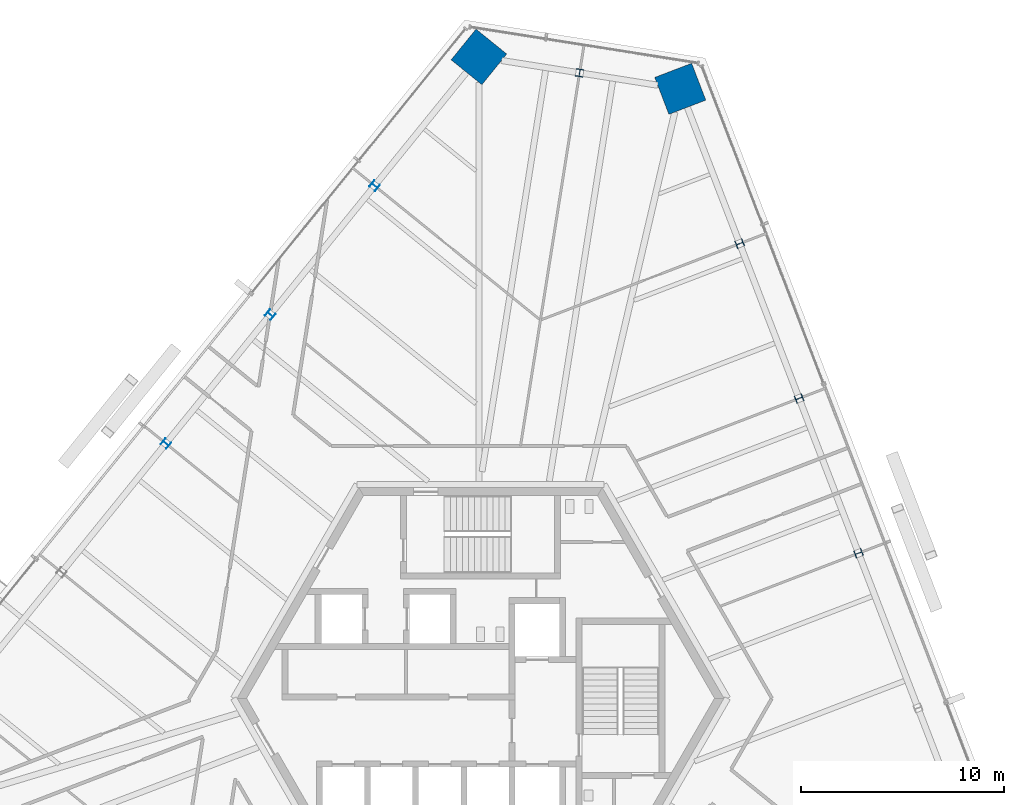
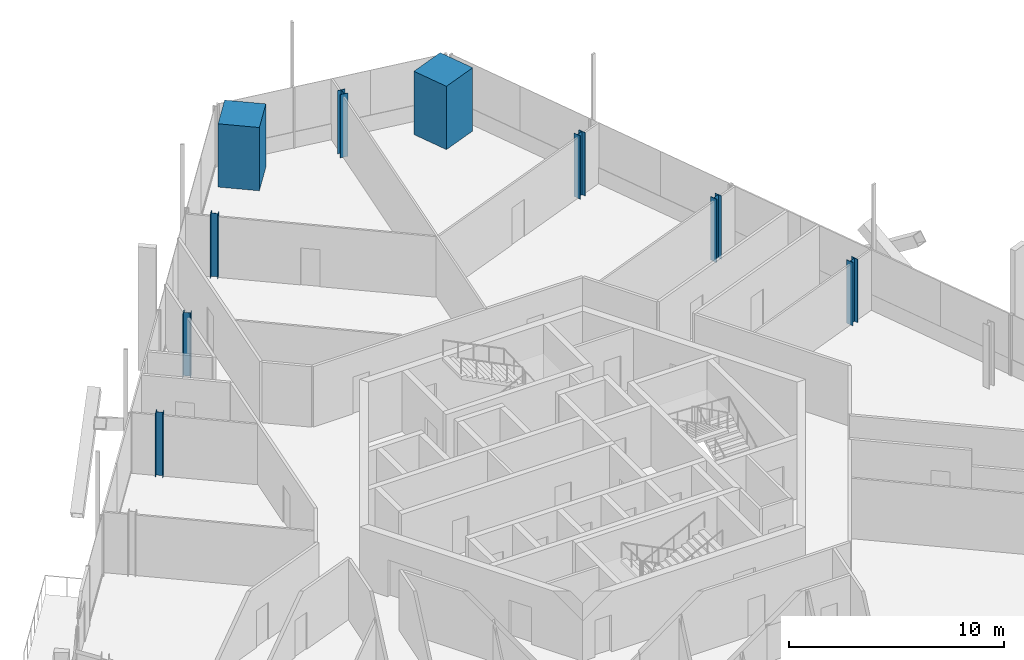
# One storey, part 3 of 22: 9 columns.
"""IFC4 building model written with IfcOpenShell, lengths in metres."""

from ifc_helpers import new_model, si_unit, direction, frame, origin, origin_2d, place, context, subcontext, project, spatial, rectangle, i_section, extrude, source, transform, mapped, material, material_profile, profile_set, type_object, element, save


model = new_model("IFC4")

# Units and contexts
model_context = context("Model", 3, precision=1e-05, world=origin(), true_north=direction((0.0, 1.0)))
body_context = subcontext(model_context, "Body", "Model", "MODEL_VIEW")
ifc_project = project(units=[si_unit("LENGTHUNIT", "METRE"), si_unit("AREAUNIT", "SQUARE_METRE"), si_unit("VOLUMEUNIT", "CUBIC_METRE"), si_unit("PLANEANGLEUNIT", "RADIAN"), si_unit("MASSUNIT", "GRAM", prefix="KILO")], contexts=[model_context])

# Site, building, storey
site_placement = place(None, origin())
site = spatial("IfcSite", under=ifc_project, at=site_placement, CompositionType="ELEMENT")
building_placement = place(site_placement, origin())
building = spatial("IfcBuilding", under=site, at=building_placement, Name="Triune Harvest Tower", CompositionType="ELEMENT")
storey_placement = place(building_placement, frame((0.0, 0.0, 153.300048828125)))
storey = spatial("IfcBuildingStorey", under=building, at=storey_placement, Name="L39", CompositionType="ELEMENT", Elevation=153.300048828125)

# Columns
ifc_material_1 = material(Name="Concrete 70 MPa", Category="concrete")
ifc_material_profile_1 = material_profile(ifc_material_1, rectangle(XDim=1.949951171875, YDim=1.949951171875, at=origin_2d()), Name="Composite 1950x1950")
ifc_profile_set_1 = profile_set([ifc_material_profile_1], Name="Concrete 70 MPa")
column_type_1 = type_object("IfcColumnType", Name="MC-4 Mega column Composite 1950x1950", PredefinedType="COLUMN", material=ifc_profile_set_1)
shared_shape_1 = source(origin(), body_context, "Body", "SweptSolid", [
    extrude(rectangle(XDim=1.949951171875, YDim=1.949951171875, at=origin_2d()), origin(), (0.0, 0.0, 1.0), 3.599853515625),
])
for number, where, z_axis, x_axis, name in (
    (1, (9.846923828125, 30.0498046875, 0.0), (0.0, 0.0, 1.0), (-0.358367949545, 0.933580426497, 0.0), "col/L39/M6"),
    (2, (-0.0791015625, 31.621826171875, 0.0), (0.0, 0.0, 1.0), (-0.629321747424, -0.777144863084, 0.0), "col/L39/M8"),
):
    element("IfcColumn", number, at=place(storey_placement, frame(where, z_axis=z_axis, x_axis=x_axis)), inside=storey, type_object=column_type_1, Name=name, PredefinedType="COLUMN", context=body_context, shape_type="MappedRepresentation", body=[
        mapped(shared_shape_1, transform((0.0, 0.0, 0.0), scale=1.0)),
    ])
ifc_material_2 = material(Name="Steel ASTM A992 Gr 50", Category="steel")
ifc_material_profile_2 = material_profile(ifc_material_2, i_section(OverallWidth=0.373291015625, OverallDepth=0.373291015625, WebThickness=0.016357421875, FlangeThickness=0.026123046875, at=origin_2d()), Name="W14x132")
ifc_profile_set_2 = profile_set([ifc_material_profile_2], Name="Steel ASTM A992 Gr 50")
column_type_2 = type_object("IfcColumnType", Name="PC-4 Perimeter column W14x132", PredefinedType="COLUMN", material=ifc_profile_set_2)
shared_shape_2 = source(origin(), body_context, "Body", "SweptSolid", [
    extrude(i_section(OverallWidth=0.373291015625, OverallDepth=0.373291015625, WebThickness=0.016357421875, FlangeThickness=0.026123046875, at=origin_2d()), origin(), (0.0, 0.0, 1.0), 3.599853515625),
])
for number, where, z_axis, x_axis, name in (
    (3, (18.635986328125, 7.15380859375, 0.0), (0.0, 0.0, 1.0), (-0.358367949545, 0.933580426497, 0.0), "col/L39/P3"),
    (4, (15.706298828125, 14.78564453125, 0.0), (0.0, 0.0, 1.0), (-0.358367949545, 0.933580426497, 0.0), "col/L39/P4"),
    (5, (12.776611328125, 22.417724609375, 0.0), (0.0, 0.0, 1.0), (-0.358367949545, 0.933580426497, 0.0), "col/L39/P5"),
    (6, (4.8837890625, 30.8359375, 0.0), (0.0, 0.0, 1.0), (-0.987688340595, 0.15643446504, 0.0), "col/L39/P7"),
    (7, (-5.223876953125, 25.268798828125, 0.0), (0.0, 0.0, 1.0), (-0.629321747424, -0.777144863084, 0.0), "col/L39/P9"),
    (8, (-10.36865234375, 18.91552734375, 0.0), (0.0, 0.0, 1.0), (-0.629321747424, -0.777144863084, 0.0), "col/L39/P10"),
    (9, (-15.51318359375, 12.5625, 0.0), (0.0, 0.0, 1.0), (-0.629321747424, -0.777144863084, 0.0), "col/L39/P11"),
):
    element("IfcColumn", number, at=place(storey_placement, frame(where, z_axis=z_axis, x_axis=x_axis)), inside=storey, type_object=column_type_2, Name=name, PredefinedType="COLUMN", context=body_context, shape_type="MappedRepresentation", body=[
        mapped(shared_shape_2, transform((0.0, 0.0, 0.0), scale=1.0)),
    ])

save(model, "model.ifc")
